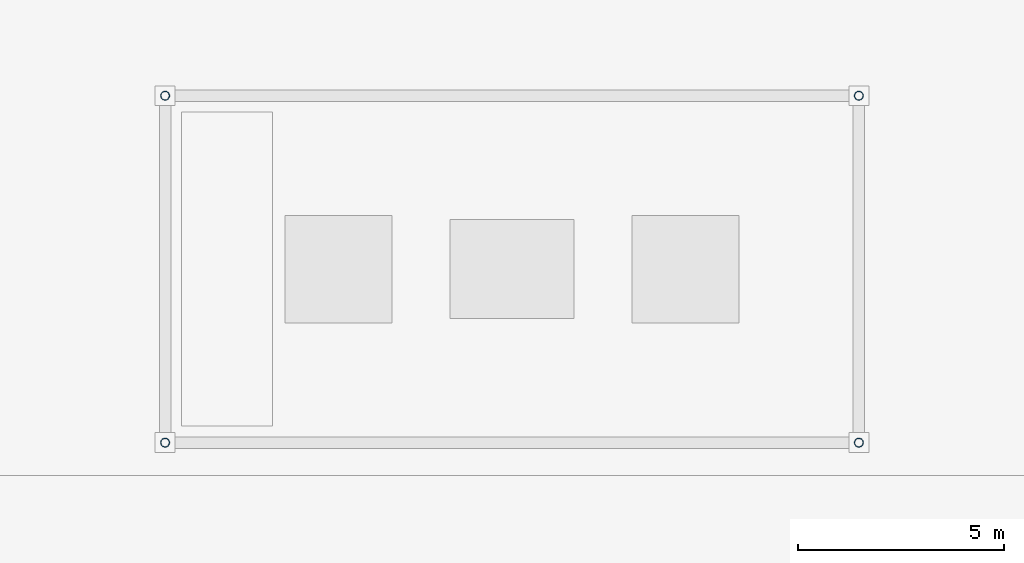
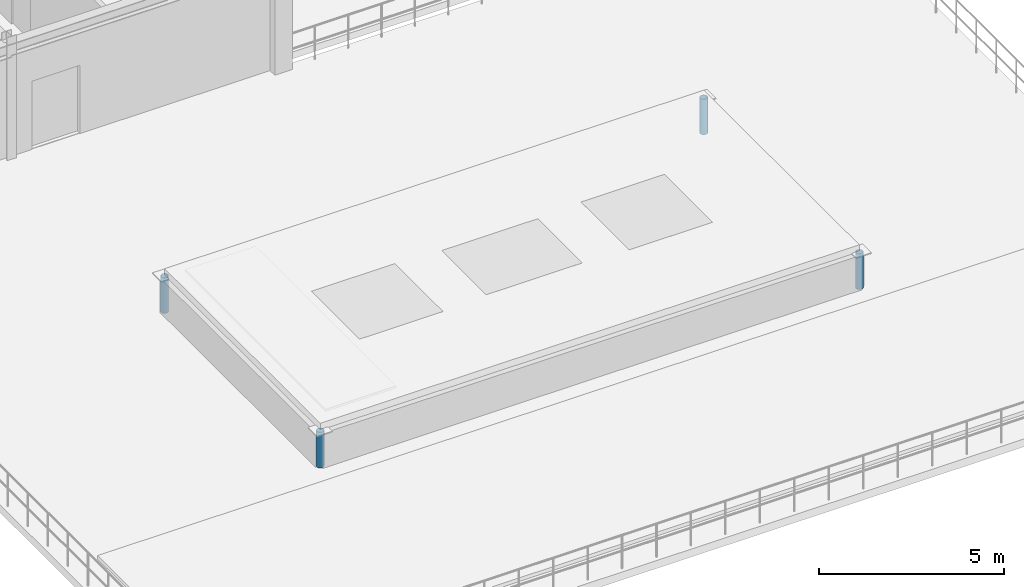
# One storey, part 1 of 70: 4 columns.
"""IFC4 building model written with IfcOpenShell, lengths in metres."""

from ifc_helpers import new_model, si_unit, derived_unit, direction, frame, origin, origin_2d, place, context, subcontext, project, spatial, hollow_circle, extrude, material, material_profile, profile_set, type_object, element, save


model = new_model("IFC4")

# Units and contexts
model_context = context("Model", 3, precision=1e-05, world=origin(), true_north=direction((0.0, 1.0)))
body_context = subcontext(model_context, "Body", "Model", "MODEL_VIEW")
ifc_project = project(units=[si_unit("LENGTHUNIT", "METRE"), si_unit("AREAUNIT", "SQUARE_METRE"), si_unit("VOLUMEUNIT", "CUBIC_METRE"), si_unit("PLANEANGLEUNIT", "RADIAN"), si_unit("MASSUNIT", "GRAM", prefix="KILO"), derived_unit("THERMALTRANSMITTANCEUNIT", [(si_unit("POWERUNIT", "WATT"), 1), (si_unit("AREAUNIT", "SQUARE_METRE"), -1), (si_unit("THERMODYNAMICTEMPERATUREUNIT", "KELVIN"), -1)])], contexts=[model_context])

# Site, building, storey
site_placement = place(None, origin())
site = spatial("IfcSite", under=ifc_project, at=site_placement, CompositionType="ELEMENT")
building_placement = place(site_placement, origin())
building = spatial("IfcBuilding", under=site, at=building_placement, Name="Yasenodar Specialist Clinic", CompositionType="ELEMENT")
storey_placement = place(building_placement, frame((0.0, 0.0, 13.199951171875)))
storey = spatial("IfcBuildingStorey", under=building, at=storey_placement, Name="L03", CompositionType="ELEMENT", Elevation=13.199951171875)

# Columns
ifc_material = material(Name="Steel S355", Category="steel")
ifc_material_profile = material_profile(ifc_material, hollow_circle(Radius=0.109619140625, WallThickness=0.010009765625, at=origin_2d()), Name="CHS 219.1x10")
ifc_profile_set = profile_set([ifc_material_profile], Name="Steel S355")
column_type = type_object("IfcColumnType", Name="COL-ST-CHS219", PredefinedType="COLUMN", material=ifc_profile_set)
for number, where, z_axis, x_axis, name in (
    (1, (8.39990234375, 8.39990234375, 0.0), (0.0, 0.0, 1.0), (1.0, 0.0, 0.0), "L03 Skylight Lantern Corner Post 1"),
    (2, (8.39990234375, 16.800048828125, 0.0), (0.0, 0.0, 1.0), (1.0, 0.0, 0.0), "L03 Skylight Lantern Corner Post 2"),
    (3, (25.199951171875, 16.800048828125, 0.0), (0.0, 0.0, 1.0), (1.0, 0.0, 0.0), "L03 Skylight Lantern Corner Post 3"),
    (4, (25.199951171875, 8.39990234375, 0.0), (0.0, 0.0, 1.0), (1.0, 0.0, 0.0), "L03 Skylight Lantern Corner Post 4"),
):
    element("IfcColumn", number, at=place(storey_placement, frame(where, z_axis=z_axis, x_axis=x_axis)), inside=storey, type_object=column_type, Name=name, PredefinedType="COLUMN", context=body_context, shape_type="SweptSolid", body=[
        extrude(hollow_circle(Radius=0.109619140625, WallThickness=0.010009765625, at=origin_2d()), origin(), (0.0, 0.0, 1.0), 1.175048828125),
    ])

save(model, "model.ifc")
